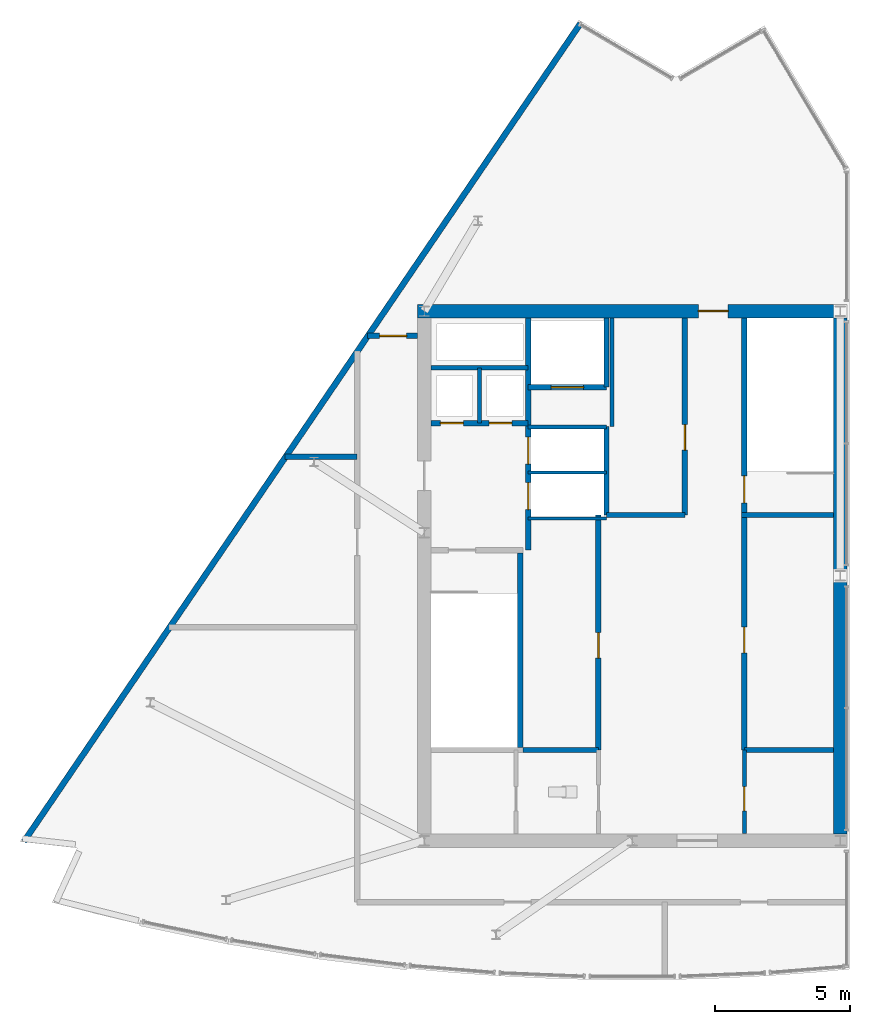
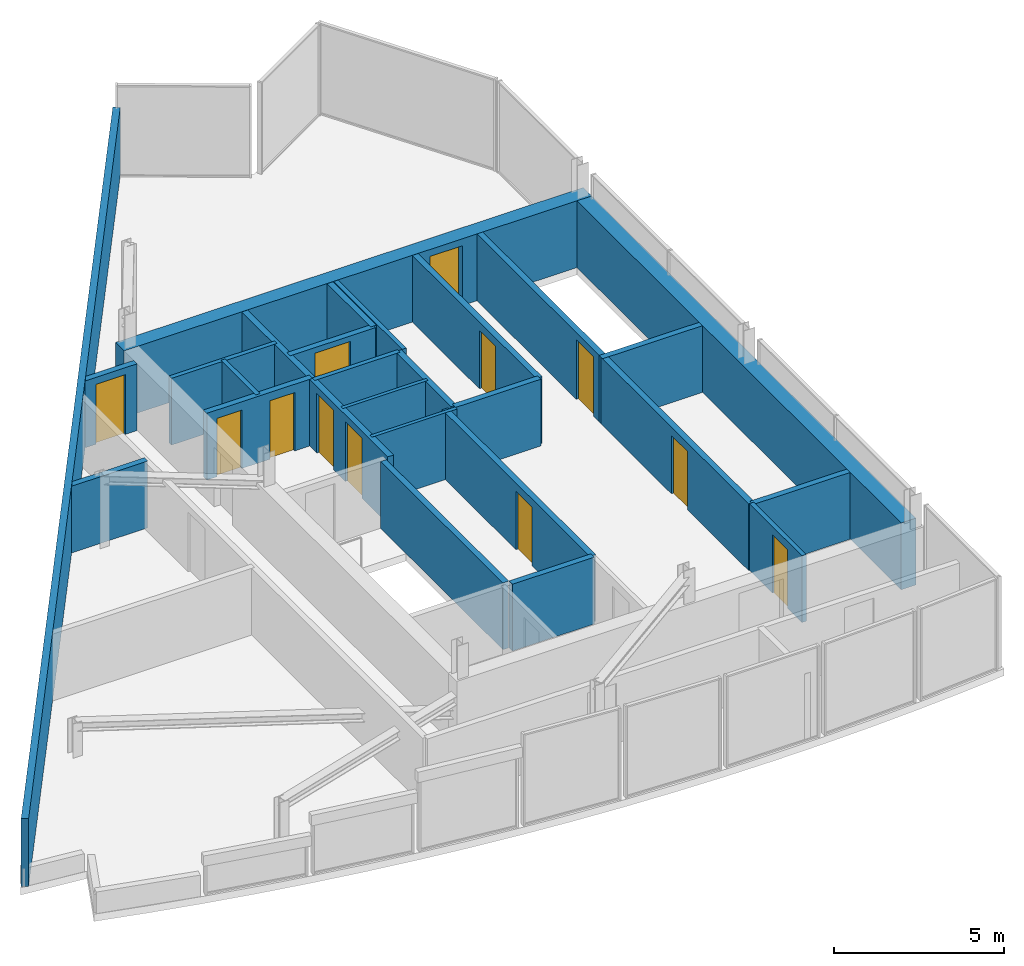
# One storey, part 5 of 7: 26 walls, 12 doors, 12 openings.
"""IFC4 building model written with IfcOpenShell, lengths in metres."""

from ifc_helpers import new_model, si_unit, direction, frame, frame_2d, origin, place, context, subcontext, project, spatial, rectangle, extrude, material, layer, layer_set, type_object, element, fill, save


model = new_model("IFC4")

# Units and contexts
model_context = context("Model", 3, precision=1e-05, world=origin(), true_north=direction((0.0, 1.0)))
body_context = subcontext(model_context, "Body", "Model", "MODEL_VIEW")
ifc_project = project(units=[si_unit("LENGTHUNIT", "METRE"), si_unit("AREAUNIT", "SQUARE_METRE"), si_unit("VOLUMEUNIT", "CUBIC_METRE"), si_unit("PLANEANGLEUNIT", "RADIAN"), si_unit("MASSUNIT", "GRAM", prefix="KILO")], contexts=[model_context])

# Site, building, storey
site_placement = place(None, origin())
site = spatial("IfcSite", under=ifc_project, at=site_placement, CompositionType="ELEMENT")
building_placement = place(site_placement, origin())
building = spatial("IfcBuilding", under=site, at=building_placement, Name="Savorim Split Tower", CompositionType="ELEMENT")
storey_placement = place(building_placement, frame((0.0, 0.0, 319.199951171875)))
storey = spatial("IfcBuildingStorey", under=building, at=storey_placement, Name="Crown L85 Plant", CompositionType="ELEMENT", Elevation=319.199951171875)

# Wall, opening, door
ifc_material_1 = material(Name="Concrete C60/75", Category="concrete")
ifc_layer_1 = layer(ifc_material_1, 0.5)
ifc_layer_set_1 = layer_set([ifc_layer_1], Name="WAL-COR-SH500")
wall_type_1 = type_object("IfcWallType", Name="WAL-COR-SH500", PredefinedType="SHEAR", material=ifc_layer_set_1)
wall_1_placement = place(storey_placement, frame((7.949951171875, 10.199951171875, 0.0), z_axis=(0.0, 0.0, 1.0), x_axis=(-1.0, 0.0, 0.0)))
wall_1 = element("IfcWall", 1, at=wall_1_placement, inside=storey, type_object=wall_type_1, Name="Crown L85 Plant Offset Core North Shear Wall", PredefinedType="SHEAR", context=body_context, shape_type="SweptSolid", body=[
    extrude(rectangle(XDim=15.89990234375, YDim=0.5, at=frame_2d((7.949951171875, 0.0))), origin(), (0.0, 0.0, 1.0), 2.400146484375),
])
opening_1_placement = place(wall_1_placement, frame((4.39990234375, 0.0, 0.0)))
opening_1 = element("IfcOpeningElement", 2, at=opening_1_placement, cuts=wall_1, Name="Opening DI-03", PredefinedType="OPENING", context=body_context, shape_type="SweptSolid", body=[
    extrude(rectangle(XDim=1.10009765625, YDim=2.14990234375, at=frame_2d((0.550048828125, 1.074951171875))), frame((0.0, 0.260009765625, 0.0), z_axis=(0.0, -1.0, 0.0), x_axis=(1.0, 0.0, 0.0)), (0.0, 0.0, 1.0), 0.52001953125),
])
ifc_material_2 = material(Name="Timber Fire Door Leaf", Category="wood")
door_type_1 = type_object("IfcDoorType", Name="DOR-FIR-1100", OperationType="NOTDEFINED", PredefinedType="DOOR", material=ifc_material_2)
door_1_placement = place(opening_1_placement, origin())
door_1 = element("IfcDoor", 3, at=door_1_placement, inside=storey, type_object=door_type_1, Name="DOR-Crown-L85-Plant-COR-NLOB - Crown L85 Plant North Corridor Lobby Fire Door", OperationType="SINGLE_SWING_RIGHT", OverallHeight=2.14990234375, OverallWidth=1.10009765625, PredefinedType="DOOR", context=body_context, shape_type="SweptSolid", body=[
    extrude(rectangle(XDim=1.10009765625, YDim=2.14990234375, at=frame_2d((0.550048828125, 1.074951171875))), frame((0.0, 0.02490234375, 0.0), z_axis=(0.0, -1.0, 0.0), x_axis=(1.0, 0.0, 0.0)), (0.0, 0.0, 1.0), 0.050048828125),
])
fill(opening_1, door_1)

# Walls
wall_2_placement = place(storey_placement, frame((7.699951171875, 9.949951171875, 0.0), z_axis=(0.0, 0.0, 1.0), x_axis=(0.0, -1.0, 0.0)))
element("IfcWall", 4, at=wall_2_placement, inside=storey, type_object=wall_type_1, Name="Crown L85 Plant Offset Core East Shear Wall", PredefinedType="SHEAR", context=body_context, shape_type="SweptSolid", body=[
    extrude(rectangle(XDim=19.099853515625, YDim=0.5, at=frame_2d((9.5498046875, 0.0))), origin(), (0.0, 0.0, 1.0), 2.400146484375),
])
ifc_material_3 = material(Name="Precast concrete C40/50", Category="concrete")
ifc_layer_2 = layer(ifc_material_3, 0.219970703125)
ifc_layer_set_2 = layer_set([ifc_layer_2], Name="WAL-EXT-CRN220")
wall_type_2 = type_object("IfcWallType", Name="WAL-EXT-CRN220", PredefinedType="SOLIDWALL", material=ifc_layer_set_2)
wall_3_placement = place(storey_placement, frame((-22.51708984375, -9.440673828125, 0.0), z_axis=(0.0, 0.0, 1.0), x_axis=(0.562470833944, 0.826817126675, 0.0)))
element("IfcWall", 5, at=wall_3_placement, inside=storey, type_object=wall_type_2, Name="Crown L85 Plant Sloped Crest Eaves Wall W5", PredefinedType="SOLIDWALL", context=body_context, shape_type="SweptSolid", body=[
    extrude(rectangle(XDim=36.623046875, YDim=0.219970703125, at=frame_2d((18.3115234375, 0.0))), origin(), (0.0, 0.0, 1.0), 2.447265625),
])
ifc_material_4 = material(Name="Concrete C50/60", Category="concrete")
ifc_layer_3 = layer(ifc_material_4, 0.199951171875)
ifc_layer_set_3 = layer_set([ifc_layer_3], Name="WAL-INT-RC200")
wall_type_3 = type_object("IfcWallType", Name="WAL-INT-RC200", PredefinedType="SOLIDWALL", material=ifc_layer_set_3)
wall_4_placement = place(storey_placement, frame((-4.14990234375, -5.949951171875, 0.0), z_axis=(0.0, 0.0, 1.0), x_axis=(0.0, 1.0, 0.0)))
element("IfcWall", 6, at=wall_4_placement, inside=storey, type_object=wall_type_3, Name="Crown L85 Plant Structural Shaft Wall W-Crown-L85-Plant-CR02", PredefinedType="SOLIDWALL", context=body_context, shape_type="SweptSolid", body=[
    extrude(rectangle(XDim=7.199951171875, YDim=0.199951171875, at=frame_2d((3.60009765625, 0.0))), origin(), (0.0, 0.0, 1.0), 2.400146484375),
])

# Wall, openings, doors
wall_5_placement = place(storey_placement, frame((-3.85009765625, 1.35009765625, 0.0), z_axis=(0.0, 0.0, 1.0), x_axis=(0.0, 1.0, 0.0)))
wall_5 = element("IfcWall", 7, at=wall_5_placement, inside=storey, type_object=wall_type_3, Name="Crown L85 Plant Partition W-Crown-L85-Plant-CR03", PredefinedType="SOLIDWALL", context=body_context, shape_type="SweptSolid", body=[
    extrude(rectangle(XDim=8.594970703125, YDim=0.199951171875, at=frame_2d((4.29736328125, 0.0))), origin(), (0.0, 0.0, 1.0), 2.400146484375),
])
opening_2_placement = place(wall_5_placement, frame((1.5, 0.0, 0.0)))
opening_2 = element("IfcOpeningElement", 8, at=opening_2_placement, cuts=wall_5, Name="Opening LD-FFL", PredefinedType="OPENING", context=body_context, shape_type="SweptSolid", body=[
    extrude(rectangle(XDim=1.0, YDim=2.14990234375, at=frame_2d((0.5, 1.074951171875))), frame((0.0, 0.10986328125, 0.0), z_axis=(0.0, -1.0, 0.0), x_axis=(1.0, 0.0, 0.0)), (0.0, 0.0, 1.0), 0.219970703125),
])
opening_3_placement = place(wall_5_placement, frame((3.179931640625, 0.0, 0.0)))
opening_3 = element("IfcOpeningElement", 9, at=opening_3_placement, cuts=wall_5, Name="Opening LD-FFL", PredefinedType="OPENING", context=body_context, shape_type="SweptSolid", body=[
    extrude(rectangle(XDim=1.0, YDim=2.14990234375, at=frame_2d((0.5, 1.074951171875))), frame((0.0, 0.10986328125, 0.0), z_axis=(0.0, -1.0, 0.0), x_axis=(1.0, 0.0, 0.0)), (0.0, 0.0, 1.0), 0.219970703125),
])
ifc_material_5 = material(Name="Charcoal Anodised Aluminium", Category="aluminium")
door_type_2 = type_object("IfcDoorType", Name="DOR-SLD-LD1000", OperationType="NOTDEFINED", PredefinedType="DOOR", material=ifc_material_5)
door_2_placement = place(opening_2_placement, origin())
door_2 = element("IfcDoor", 10, at=door_2_placement, inside=storey, type_object=door_type_2, Name="DR-Crown-L85-Plant-LD-FFL1 - Crown L85 Plant Firefighting Lift FFL-1 Sliding Landing Door", OperationType="DOUBLE_DOOR_SLIDING", OverallHeight=2.14990234375, OverallWidth=1.0, PredefinedType="DOOR", context=body_context, shape_type="SweptSolid", body=[
    extrude(rectangle(XDim=1.0, YDim=2.14990234375, at=frame_2d((0.5, 1.074951171875))), frame((0.0, 0.02490234375, 0.0), z_axis=(0.0, -1.0, 0.0), x_axis=(1.0, 0.0, 0.0)), (0.0, 0.0, 1.0), 0.050048828125),
])
fill(opening_2, door_2)
door_3_placement = place(opening_3_placement, origin())
door_3 = element("IfcDoor", 11, at=door_3_placement, inside=storey, type_object=door_type_2, Name="DR-Crown-L85-Plant-LD-FFL2 - Crown L85 Plant Firefighting Lift FFL-2 Sliding Landing Door", OperationType="DOUBLE_DOOR_SLIDING", OverallHeight=2.14990234375, OverallWidth=1.0, PredefinedType="DOOR", context=body_context, shape_type="SweptSolid", body=[
    extrude(rectangle(XDim=1.0, YDim=2.14990234375, at=frame_2d((0.5, 1.074951171875))), frame((0.0, 0.02490234375, 0.0), z_axis=(0.0, -1.0, 0.0), x_axis=(1.0, 0.0, 0.0)), (0.0, 0.0, 1.0), 0.050048828125),
])
fill(opening_3, door_3)

wall_6_placement = place(storey_placement, frame((-7.445068359375, 6.050048828125, 0.0), z_axis=(0.0, 0.0, 1.0), x_axis=(1.0, 0.0, 0.0)))
wall_6 = element("IfcWall", 12, at=wall_6_placement, inside=storey, type_object=wall_type_3, Name="Crown L85 Plant Partition W-Crown-L85-Plant-CR04", PredefinedType="SOLIDWALL", context=body_context, shape_type="SweptSolid", body=[
    extrude(rectangle(XDim=3.594970703125, YDim=0.199951171875, at=frame_2d((1.79736328125, 0.0))), origin(), (0.0, 0.0, 1.0), 2.400146484375),
])
opening_4_placement = place(wall_6_placement, frame((0.344970703125, 0.0, 0.0)))
opening_4 = element("IfcOpeningElement", 13, at=opening_4_placement, cuts=wall_6, Name="Opening DI-12", PredefinedType="OPENING", context=body_context, shape_type="SweptSolid", body=[
    extrude(rectangle(XDim=0.85009765625, YDim=2.10009765625, at=frame_2d((0.425048828125, 1.050048828125))), frame((0.0, 0.10986328125, 0.0), z_axis=(0.0, -1.0, 0.0), x_axis=(1.0, 0.0, 0.0)), (0.0, 0.0, 1.0), 0.219970703125),
])
opening_5_placement = place(wall_6_placement, frame((2.14501953125, 0.0, 0.0)))
opening_5 = element("IfcOpeningElement", 14, at=opening_5_placement, cuts=wall_6, Name="Opening DI-12", PredefinedType="OPENING", context=body_context, shape_type="SweptSolid", body=[
    extrude(rectangle(XDim=0.85009765625, YDim=2.10009765625, at=frame_2d((0.425048828125, 1.050048828125))), frame((0.0, 0.10986328125, 0.0), z_axis=(0.0, -1.0, 0.0), x_axis=(1.0, 0.0, 0.0)), (0.0, 0.0, 1.0), 0.219970703125),
])
ifc_material_6 = material(Name="Galvanised Painted Steel Balustrade", Category="steel")
door_type_3 = type_object("IfcDoorType", Name="DOR-RIS-850", OperationType="NOTDEFINED", PredefinedType="DOOR", material=ifc_material_6)
door_4_placement = place(opening_4_placement, origin())
door_4 = element("IfcDoor", 15, at=door_4_placement, inside=storey, type_object=door_type_3, Name="DR-Crown-L85-Plant-ELR - Crown L85 Plant Electrical Riser Access Door", OperationType="SINGLE_SWING_RIGHT", OverallHeight=2.10009765625, OverallWidth=0.85009765625, PredefinedType="DOOR", context=body_context, shape_type="SweptSolid", body=[
    extrude(rectangle(XDim=0.85009765625, YDim=2.10009765625, at=frame_2d((0.425048828125, 1.050048828125))), frame((0.0, 0.02490234375, 0.0), z_axis=(0.0, -1.0, 0.0), x_axis=(1.0, 0.0, 0.0)), (0.0, 0.0, 1.0), 0.050048828125),
])
fill(opening_4, door_4)
door_5_placement = place(opening_5_placement, origin())
door_5 = element("IfcDoor", 16, at=door_5_placement, inside=storey, type_object=door_type_3, Name="DR-Crown-L85-Plant-TLR - Crown L85 Plant Telecom Riser Access Door", OperationType="SINGLE_SWING_LEFT", OverallHeight=2.10009765625, OverallWidth=0.85009765625, PredefinedType="DOOR", context=body_context, shape_type="SweptSolid", body=[
    extrude(rectangle(XDim=0.85009765625, YDim=2.10009765625, at=frame_2d((0.425048828125, 1.050048828125))), frame((0.0, 0.02490234375, 0.0), z_axis=(0.0, -1.0, 0.0), x_axis=(1.0, 0.0, 0.0)), (0.0, 0.0, 1.0), 0.050048828125),
])
fill(opening_5, door_5)

# Wall, opening, door
wall_7_placement = place(storey_placement, frame((4.14990234375, 2.75, 0.0), z_axis=(0.0, 0.0, 1.0), x_axis=(0.0, 1.0, 0.0)))
wall_7 = element("IfcWall", 17, at=wall_7_placement, inside=storey, type_object=wall_type_3, Name="Crown L85 Plant Structural Shaft Wall W-Crown-L85-Plant-CR07", PredefinedType="SOLIDWALL", context=body_context, shape_type="SweptSolid", body=[
    extrude(rectangle(XDim=7.199951171875, YDim=0.199951171875, at=frame_2d((3.60009765625, 0.0))), origin(), (0.0, 0.0, 1.0), 2.400146484375),
])
opening_6_placement = place(wall_7_placement, frame((0.35009765625, 0.0, 0.0)))
opening_6 = element("IfcOpeningElement", 18, at=opening_6_placement, cuts=wall_7, Name="Opening DI-04", PredefinedType="OPENING", context=body_context, shape_type="SweptSolid", body=[
    extrude(rectangle(XDim=1.0, YDim=2.14990234375, at=frame_2d((0.5, 1.074951171875))), frame((0.0, 0.10986328125, 0.0), z_axis=(0.0, -1.0, 0.0), x_axis=(1.0, 0.0, 0.0)), (0.0, 0.0, 1.0), 0.219970703125),
])
door_type_4 = type_object("IfcDoorType", Name="DOR-FIR-1000", OperationType="NOTDEFINED", PredefinedType="DOOR", material=ifc_material_2)
door_6_placement = place(opening_6_placement, origin())
door_6 = element("IfcDoor", 19, at=door_6_placement, inside=storey, type_object=door_type_4, Name="DR-Crown-L85-Plant-ST2 - Crown L85 Plant Stair ST-2 Enclosure Door", OperationType="SINGLE_SWING_RIGHT", OverallHeight=2.14990234375, OverallWidth=1.0, PredefinedType="DOOR", context=body_context, shape_type="SweptSolid", body=[
    extrude(rectangle(XDim=1.0, YDim=2.14990234375, at=frame_2d((0.5, 1.074951171875))), frame((0.0, 0.02490234375, 0.0), z_axis=(0.0, -1.0, 0.0), x_axis=(1.0, 0.0, 0.0)), (0.0, 0.0, 1.0), 0.050048828125),
])
fill(opening_6, door_6)

# Walls
wall_8_placement = place(storey_placement, frame((4.050048828125, 2.64990234375, 0.0), z_axis=(0.0, 0.0, 1.0), x_axis=(1.0, 0.0, 0.0)))
element("IfcWall", 20, at=wall_8_placement, inside=storey, type_object=wall_type_3, Name="Crown L85 Plant Structural Shaft Wall W-Crown-L85-Plant-CR08", PredefinedType="SOLIDWALL", context=body_context, shape_type="SweptSolid", body=[
    extrude(rectangle(XDim=3.39990234375, YDim=0.199951171875, at=frame_2d((1.699951171875, 0.0))), origin(), (0.0, 0.0, 1.0), 2.400146484375),
])
wall_9_placement = place(storey_placement, frame((-0.949951171875, 2.64990234375, 0.0), z_axis=(0.0, 0.0, 1.0), x_axis=(0.0, 1.0, 0.0)))
element("IfcWall", 21, at=wall_9_placement, inside=storey, type_object=wall_type_3, Name="Crown L85 Plant Partition W-Crown-L85-Plant-FFLW", PredefinedType="SOLIDWALL", context=body_context, shape_type="SweptSolid", body=[
    extrude(rectangle(XDim=3.27001953125, YDim=0.199951171875, at=frame_2d((1.635009765625, 0.0))), origin(), (0.0, 0.0, 1.0), 2.400146484375),
])

# Wall, opening, door
wall_10_placement = place(storey_placement, frame((-3.85009765625, 7.3798828125, 0.0), z_axis=(0.0, 0.0, 1.0), x_axis=(1.0, 0.0, 0.0)))
wall_10 = element("IfcWall", 22, at=wall_10_placement, inside=storey, type_object=wall_type_3, Name="Crown L85 Plant Partition W-Crown-L85-Plant-SVLS", PredefinedType="SOLIDWALL", context=body_context, shape_type="SweptSolid", body=[
    extrude(rectangle(XDim=2.900146484375, YDim=0.199951171875, at=frame_2d((1.4501953125, 0.0))), origin(), (0.0, 0.0, 1.0), 2.400146484375),
])
opening_7_placement = place(wall_10_placement, frame((0.85009765625, 0.0, 0.0)))
opening_7 = element("IfcOpeningElement", 23, at=opening_7_placement, cuts=wall_10, Name="Opening LD-SV", PredefinedType="OPENING", context=body_context, shape_type="SweptSolid", body=[
    extrude(rectangle(XDim=1.199951171875, YDim=2.199951171875, at=frame_2d((0.60009765625, 1.10009765625))), frame((0.0, 0.10986328125, 0.0), z_axis=(0.0, -1.0, 0.0), x_axis=(1.0, 0.0, 0.0)), (0.0, 0.0, 1.0), 0.219970703125),
])
door_type_5 = type_object("IfcDoorType", Name="DOR-SLD-SV1200", OperationType="NOTDEFINED", PredefinedType="DOOR", material=ifc_material_5)
door_7_placement = place(opening_7_placement, origin())
door_7 = element("IfcDoor", 24, at=door_7_placement, inside=storey, type_object=door_type_5, Name="DR-Crown-L85-Plant-LD-SVL1 - Crown L85 Plant Service Lift SVL-1 Sliding Landing Door", OperationType="DOUBLE_DOOR_SLIDING", OverallHeight=2.199951171875, OverallWidth=1.199951171875, PredefinedType="DOOR", context=body_context, shape_type="SweptSolid", body=[
    extrude(rectangle(XDim=1.199951171875, YDim=2.199951171875, at=frame_2d((0.60009765625, 1.10009765625))), frame((0.0, 0.02490234375, 0.0), z_axis=(0.0, -1.0, 0.0), x_axis=(1.0, 0.0, 0.0)), (0.0, 0.0, 1.0), 0.050048828125),
])
fill(opening_7, door_7)

# Wall
wall_11_placement = place(storey_placement, frame((-0.949951171875, 7.3798828125, 0.0), z_axis=(0.0, 0.0, 1.0), x_axis=(0.0, 1.0, 0.0)))
element("IfcWall", 25, at=wall_11_placement, inside=storey, type_object=wall_type_3, Name="Crown L85 Plant Partition W-Crown-L85-Plant-SVLE", PredefinedType="SOLIDWALL", context=body_context, shape_type="SweptSolid", body=[
    extrude(rectangle(XDim=2.565185546875, YDim=0.199951171875, at=frame_2d((1.28271484375, 0.0))), origin(), (0.0, 0.0, 1.0), 2.400146484375),
])

# Wall, opening, door
wall_12_placement = place(storey_placement, frame((4.14990234375, -6.050048828125, 0.0), z_axis=(0.0, 0.0, 1.0), x_axis=(0.0, 1.0, 0.0)))
wall_12 = element("IfcWall", 26, at=wall_12_placement, inside=storey, type_object=wall_type_3, Name="Crown L85 Plant Partition W-Crown-L85-Plant-B1FRONT", PredefinedType="SOLIDWALL", context=body_context, shape_type="SweptSolid", body=[
    extrude(rectangle(XDim=8.699951171875, YDim=0.199951171875, at=frame_2d((4.35009765625, 0.0))), origin(), (0.0, 0.0, 1.0), 2.400146484375),
])
opening_8_placement = place(wall_12_placement, frame((3.60009765625, 0.0, 0.0)))
opening_8 = element("IfcOpeningElement", 27, at=opening_8_placement, cuts=wall_12, Name="Opening DI-05", PredefinedType="OPENING", context=body_context, shape_type="SweptSolid", body=[
    extrude(rectangle(XDim=0.949951171875, YDim=2.10009765625, at=frame_2d((0.47509765625, 1.050048828125))), frame((0.0, 0.10986328125, 0.0), z_axis=(0.0, -1.0, 0.0), x_axis=(1.0, 0.0, 0.0)), (0.0, 0.0, 1.0), 0.219970703125),
])
door_type_6 = type_object("IfcDoorType", Name="DOR-FIR-950", OperationType="NOTDEFINED", PredefinedType="DOOR", material=ifc_material_2)
door_8_placement = place(opening_8_placement, origin())
door_8 = element("IfcDoor", 28, at=door_8_placement, inside=storey, type_object=door_type_6, Name="DR-Crown-L85-Plant-B1SUB - Crown L85 Plant Core Store East Door", OperationType="SINGLE_SWING_RIGHT", OverallHeight=2.10009765625, OverallWidth=0.949951171875, PredefinedType="DOOR", context=body_context, shape_type="SweptSolid", body=[
    extrude(rectangle(XDim=0.949951171875, YDim=2.10009765625, at=frame_2d((0.47509765625, 1.050048828125))), frame((0.0, 0.02490234375, 0.0), z_axis=(0.0, -1.0, 0.0), x_axis=(1.0, 0.0, 0.0)), (0.0, 0.0, 1.0), 0.050048828125),
])
fill(opening_8, door_8)

wall_13_placement = place(storey_placement, frame((-1.25, -6.050048828125, 0.0), z_axis=(0.0, 0.0, 1.0), x_axis=(0.0, 1.0, 0.0)))
wall_13 = element("IfcWall", 29, at=wall_13_placement, inside=storey, type_object=wall_type_3, Name="Crown L85 Plant Partition W-Crown-L85-Plant-B2FRONT", PredefinedType="SOLIDWALL", context=body_context, shape_type="SweptSolid", body=[
    extrude(rectangle(XDim=8.699951171875, YDim=0.199951171875, at=frame_2d((4.35009765625, 0.0))), origin(), (0.0, 0.0, 1.0), 2.400146484375),
])
opening_9_placement = place(wall_13_placement, frame((3.39990234375, 0.0, 0.0)))
opening_9 = element("IfcOpeningElement", 30, at=opening_9_placement, cuts=wall_13, Name="Opening DI-05", PredefinedType="OPENING", context=body_context, shape_type="SweptSolid", body=[
    extrude(rectangle(XDim=0.949951171875, YDim=2.10009765625, at=frame_2d((0.47509765625, 1.050048828125))), frame((0.0, 0.10986328125, 0.0), z_axis=(0.0, -1.0, 0.0), x_axis=(1.0, 0.0, 0.0)), (0.0, 0.0, 1.0), 0.219970703125),
])
door_9_placement = place(opening_9_placement, origin())
door_9 = element("IfcDoor", 31, at=door_9_placement, inside=storey, type_object=door_type_6, Name="DR-Crown-L85-Plant-B2SUB - Crown L85 Plant Core Store West Door", OperationType="SINGLE_SWING_LEFT", OverallHeight=2.10009765625, OverallWidth=0.949951171875, PredefinedType="DOOR", context=body_context, shape_type="SweptSolid", body=[
    extrude(rectangle(XDim=0.949951171875, YDim=2.10009765625, at=frame_2d((0.47509765625, 1.050048828125))), frame((0.0, 0.02490234375, 0.0), z_axis=(0.0, -1.0, 0.0), x_axis=(1.0, 0.0, 0.0)), (0.0, 0.0, 1.0), 0.050048828125),
])
fill(opening_9, door_9)

wall_14_placement = place(storey_placement, frame((1.949951171875, 2.64990234375, 0.0), z_axis=(0.0, 0.0, 1.0), x_axis=(0.0, 1.0, 0.0)))
wall_14 = element("IfcWall", 32, at=wall_14_placement, inside=storey, type_object=wall_type_3, Name="Crown L85 Plant Partition W-Crown-L85-Plant-B3FRONT", PredefinedType="SOLIDWALL", context=body_context, shape_type="SweptSolid", body=[
    extrude(rectangle(XDim=7.295166015625, YDim=0.199951171875, at=frame_2d((3.6474609375, 0.0))), origin(), (0.0, 0.0, 1.0), 2.400146484375),
])
opening_10_placement = place(wall_14_placement, frame((2.39990234375, 0.0, 0.0)))
opening_10 = element("IfcOpeningElement", 33, at=opening_10_placement, cuts=wall_14, Name="Opening DI-05", PredefinedType="OPENING", context=body_context, shape_type="SweptSolid", body=[
    extrude(rectangle(XDim=0.949951171875, YDim=2.10009765625, at=frame_2d((0.47509765625, 1.050048828125))), frame((0.0, 0.10986328125, 0.0), z_axis=(0.0, -1.0, 0.0), x_axis=(1.0, 0.0, 0.0)), (0.0, 0.0, 1.0), 0.219970703125),
])
door_10_placement = place(opening_10_placement, origin())
door_10 = element("IfcDoor", 34, at=door_10_placement, inside=storey, type_object=door_type_6, Name="DR-Crown-L85-Plant-B3CRN - Crown L85 Plant Crown BMS Plant Room Door", OperationType="SINGLE_SWING_LEFT", OverallHeight=2.10009765625, OverallWidth=0.949951171875, PredefinedType="DOOR", context=body_context, shape_type="SweptSolid", body=[
    extrude(rectangle(XDim=0.949951171875, YDim=2.10009765625, at=frame_2d((0.47509765625, 1.050048828125))), frame((0.0, 0.02490234375, 0.0), z_axis=(0.0, -1.0, 0.0), x_axis=(1.0, 0.0, 0.0)), (0.0, 0.0, 1.0), 0.050048828125),
])
fill(opening_10, door_10)

# Walls
wall_15_placement = place(storey_placement, frame((-0.949951171875, 2.64990234375, 0.0), z_axis=(0.0, 0.0, 1.0), x_axis=(1.0, 0.0, 0.0)))
element("IfcWall", 35, at=wall_15_placement, inside=storey, type_object=wall_type_3, Name="Crown L85 Plant Partition W-Crown-L85-Plant-B3SOUTH", PredefinedType="SOLIDWALL", context=body_context, shape_type="SweptSolid", body=[
    extrude(rectangle(XDim=2.89990234375, YDim=0.199951171875, at=frame_2d((1.449951171875, 0.0))), origin(), (0.0, 0.0, 1.0), 2.400146484375),
])
wall_16_placement = place(storey_placement, frame((-4.0400390625, -6.050048828125, 0.0), z_axis=(0.0, 0.0, 1.0), x_axis=(1.0, 0.0, 0.0)))
element("IfcWall", 36, at=wall_16_placement, inside=storey, type_object=wall_type_3, Name="Crown L85 Plant Partition W-Crown-L85-Plant-KSEP-W2", PredefinedType="SOLIDWALL", context=body_context, shape_type="SweptSolid", body=[
    extrude(rectangle(XDim=2.7900390625, YDim=0.199951171875, at=frame_2d((1.39501953125, 0.0))), origin(), (0.0, 0.0, 1.0), 2.400146484375),
])
wall_17_placement = place(storey_placement, frame((4.14990234375, -6.050048828125, 0.0), z_axis=(0.0, 0.0, 1.0), x_axis=(1.0, 0.0, 0.0)))
element("IfcWall", 37, at=wall_17_placement, inside=storey, type_object=wall_type_3, Name="Crown L85 Plant Partition W-Crown-L85-Plant-KSEP-E", PredefinedType="SOLIDWALL", context=body_context, shape_type="SweptSolid", body=[
    extrude(rectangle(XDim=3.295166015625, YDim=0.199951171875, at=frame_2d((1.6474609375, 0.0))), origin(), (0.0, 0.0, 1.0), 2.400146484375),
])

# Wall, opening, door
wall_18_placement = place(storey_placement, frame((-9.805908203125, 9.280029296875, 0.0), z_axis=(0.0, 0.0, 1.0), x_axis=(1.0, 0.0, 0.0)))
wall_18 = element("IfcWall", 38, at=wall_18_placement, inside=storey, type_object=wall_type_3, Name="Crown L85 Plant Partition W-Crown-L85-Plant-CWPC3", PredefinedType="SOLIDWALL", context=body_context, shape_type="SweptSolid", body=[
    extrude(rectangle(XDim=1.85595703125, YDim=0.199951171875, at=frame_2d((0.927978515625, 0.0))), origin(), (0.0, 0.0, 1.0), 2.400146484375),
])
opening_11_placement = place(wall_18_placement, frame((0.452880859375, 0.0, 0.0)))
opening_11 = element("IfcOpeningElement", 39, at=opening_11_placement, cuts=wall_18, Name="Opening DI-04", PredefinedType="OPENING", context=body_context, shape_type="SweptSolid", body=[
    extrude(rectangle(XDim=1.0, YDim=2.14990234375, at=frame_2d((0.5, 1.074951171875))), frame((0.0, 0.10986328125, 0.0), z_axis=(0.0, -1.0, 0.0), x_axis=(1.0, 0.0, 0.0)), (0.0, 0.0, 1.0), 0.219970703125),
])
door_11_placement = place(opening_11_placement, origin())
door_11 = element("IfcDoor", 40, at=door_11_placement, inside=storey, type_object=door_type_4, Name="DR-Crown-L85-Plant-RM03 - Crown L85 Plant Booster Pump Plant Room Entry Door", OperationType="SINGLE_SWING_RIGHT", OverallHeight=2.14990234375, OverallWidth=1.0, PredefinedType="DOOR", context=body_context, shape_type="SweptSolid", body=[
    extrude(rectangle(XDim=1.0, YDim=2.14990234375, at=frame_2d((0.5, 1.074951171875))), frame((0.0, 0.02490234375, 0.0), z_axis=(0.0, -1.0, 0.0), x_axis=(1.0, 0.0, 0.0)), (0.0, 0.0, 1.0), 0.050048828125),
])
fill(opening_11, door_11)

# Walls
wall_19_placement = place(storey_placement, frame((-12.853515625, 4.800048828125, 0.0), z_axis=(0.0, 0.0, 1.0), x_axis=(1.0, 0.0, 0.0)))
element("IfcWall", 41, at=wall_19_placement, inside=storey, type_object=wall_type_3, Name="Crown L85 Plant Partition W-Crown-L85-Plant-CDIV2", PredefinedType="SOLIDWALL", context=body_context, shape_type="SweptSolid", body=[
    extrude(rectangle(XDim=2.673583984375, YDim=0.199951171875, at=frame_2d((1.3369140625, 0.0))), origin(), (0.0, 0.0, 1.0), 2.400146484375),
])
ifc_material_7 = material(Name="Acoustic Gypsum Partition Board")
ifc_layer_4 = layer(ifc_material_7, 0.1201171875)
ifc_layer_set_4 = layer_set([ifc_layer_4], Name="WAL-PAR-120")
wall_type_4 = type_object("IfcWallType", Name="WAL-PAR-120", PredefinedType="PARTITIONING", material=ifc_layer_set_4)
for number, where, z_axis, x_axis, name in (
    (42, (-3.85009765625, 2.52001953125, 0.0), (0.0, 0.0, 1.0), (1.0, 0.0, 0.0), "Crown L85 Plant Partition W-Crown-L85-Plant-FFLD0"),
    (43, (-3.85009765625, 4.219970703125, 0.0), (0.0, 0.0, 1.0), (1.0, 0.0, 0.0), "Crown L85 Plant Partition W-Crown-L85-Plant-FFLD1"),
):
    element("IfcWall", number, at=place(storey_placement, frame(where, z_axis=z_axis, x_axis=x_axis)), inside=storey, type_object=wall_type_4, Name=name, PredefinedType="PARTITIONING", context=body_context, shape_type="SweptSolid", body=[
        extrude(rectangle(XDim=2.900146484375, YDim=0.1201171875, at=frame_2d((1.4501953125, 0.0))), origin(), (0.0, 0.0, 1.0), 2.400146484375),
    ])
ifc_layer_5 = layer(ifc_material_7, 0.14990234375)
ifc_layer_set_5 = layer_set([ifc_layer_5], Name="WAL-PAR-150")
wall_type_5 = type_object("IfcWallType", Name="WAL-PAR-150", PredefinedType="PARTITIONING", material=ifc_layer_set_5)
wall_20_placement = place(storey_placement, frame((-7.445068359375, 8.10009765625, 0.0), z_axis=(0.0, 0.0, 1.0), x_axis=(1.0, 0.0, 0.0)))
element("IfcWall", 44, at=wall_20_placement, inside=storey, type_object=wall_type_5, Name="Crown L85 Plant Partition W-Crown-L85-Plant-CR05", PredefinedType="PARTITIONING", context=body_context, shape_type="SweptSolid", body=[
    extrude(rectangle(XDim=3.594970703125, YDim=0.14990234375, at=frame_2d((1.79736328125, 0.0))), origin(), (0.0, 0.0, 1.0), 2.400146484375),
])
wall_21_placement = place(storey_placement, frame((-5.64990234375, 6.050048828125, 0.0), z_axis=(0.0, 0.0, 1.0), x_axis=(0.0, 1.0, 0.0)))
element("IfcWall", 45, at=wall_21_placement, inside=storey, type_object=wall_type_5, Name="Crown L85 Plant Partition W-Crown-L85-Plant-CR06", PredefinedType="PARTITIONING", context=body_context, shape_type="SweptSolid", body=[
    extrude(rectangle(XDim=2.050048828125, YDim=0.14990234375, at=frame_2d((1.02490234375, 0.0))), origin(), (0.0, 0.0, 1.0), 2.400146484375),
])
wall_22_placement = place(storey_placement, frame((-3.85009765625, 5.89990234375, 0.0), z_axis=(0.0, 0.0, 1.0), x_axis=(1.0, 0.0, 0.0)))
element("IfcWall", 46, at=wall_22_placement, inside=storey, type_object=wall_type_5, Name="Crown L85 Plant Partition W-Crown-L85-Plant-FFLD2", PredefinedType="PARTITIONING", context=body_context, shape_type="SweptSolid", body=[
    extrude(rectangle(XDim=2.900146484375, YDim=0.14990234375, at=frame_2d((1.4501953125, 0.0))), origin(), (0.0, 0.0, 1.0), 2.400146484375),
])
wall_23_placement = place(storey_placement, frame((-0.75, 5.919921875, 0.0), z_axis=(0.0, 0.0, 1.0), x_axis=(0.0, 1.0, 0.0)))
element("IfcWall", 47, at=wall_23_placement, inside=storey, type_object=wall_type_5, Name="Crown L85 Plant Partition W-Crown-L85-Plant-B3WEST", PredefinedType="PARTITIONING", context=body_context, shape_type="SweptSolid", body=[
    extrude(rectangle(XDim=4.025146484375, YDim=0.14990234375, at=frame_2d((2.0126953125, 0.0))), origin(), (0.0, 0.0, 1.0), 2.400146484375),
])

# Wall, opening, door
wall_24_placement = place(storey_placement, frame((4.14990234375, -9.14501953125, 0.0), z_axis=(0.0, 0.0, 1.0), x_axis=(0.0, 1.0, 0.0)))
wall_24 = element("IfcWall", 48, at=wall_24_placement, inside=storey, type_object=wall_type_5, Name="Crown L85 Plant Partition W-Crown-L85-Plant-KLOB-E", PredefinedType="PARTITIONING", context=body_context, shape_type="SweptSolid", body=[
    extrude(rectangle(XDim=3.094970703125, YDim=0.14990234375, at=frame_2d((1.54736328125, 0.0))), origin(), (0.0, 0.0, 1.0), 2.400146484375),
])
opening_12_placement = place(wall_24_placement, frame((0.844970703125, 0.0, 0.0)))
opening_12 = element("IfcOpeningElement", 49, at=opening_12_placement, cuts=wall_24, Name="Opening DI-06", PredefinedType="OPENING", context=body_context, shape_type="SweptSolid", body=[
    extrude(rectangle(XDim=0.89990234375, YDim=2.10009765625, at=frame_2d((0.449951171875, 1.050048828125))), frame((0.0, 0.0849609375, 0.0), z_axis=(0.0, -1.0, 0.0), x_axis=(1.0, 0.0, 0.0)), (0.0, 0.0, 1.0), 0.169921875),
])
door_type_7 = type_object("IfcDoorType", Name="DOR-FIR-900", OperationType="NOTDEFINED", PredefinedType="DOOR", material=ifc_material_2)
door_12_placement = place(opening_12_placement, origin())
door_12 = element("IfcDoor", 50, at=door_12_placement, inside=storey, type_object=door_type_7, Name="DR-Crown-L85-Plant-K1IT - Crown L85 Plant Core IT Room Door", OperationType="SINGLE_SWING_LEFT", OverallHeight=2.10009765625, OverallWidth=0.89990234375, PredefinedType="DOOR", context=body_context, shape_type="SweptSolid", body=[
    extrude(rectangle(XDim=0.89990234375, YDim=2.10009765625, at=frame_2d((0.449951171875, 1.050048828125))), frame((0.0, 0.02490234375, 0.0), z_axis=(0.0, -1.0, 0.0), x_axis=(1.0, 0.0, 0.0)), (0.0, 0.0, 1.0), 0.050048828125),
])
fill(opening_12, door_12)

save(model, "model.ifc")
